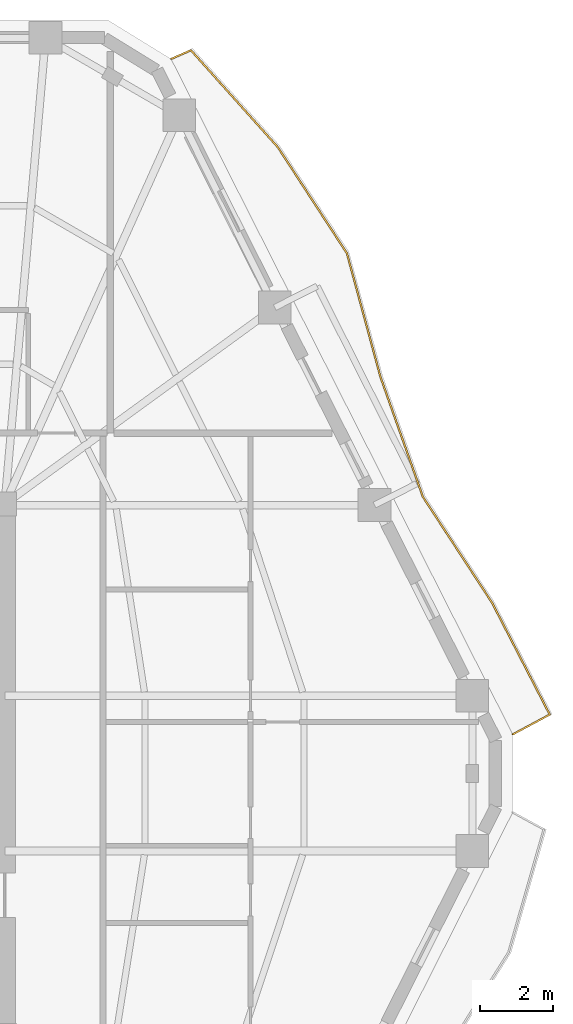
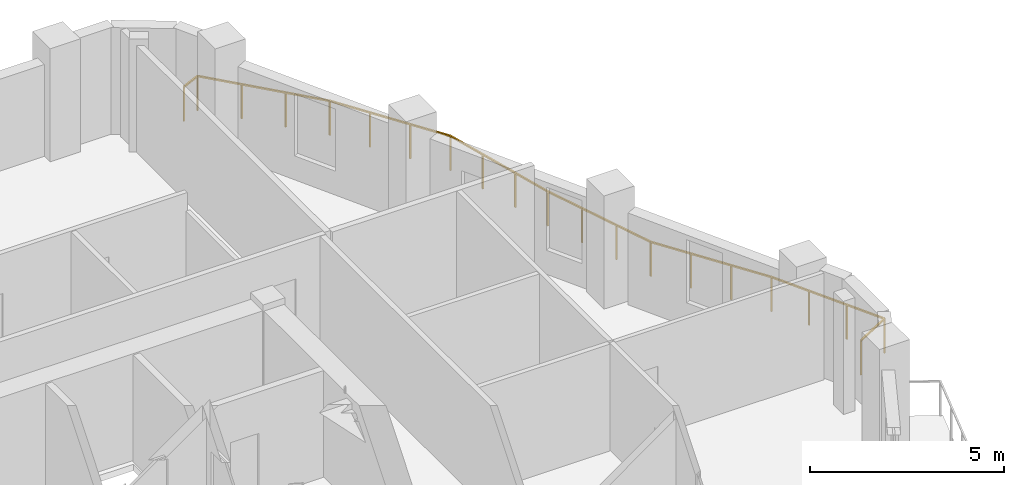
# One storey, part 12 of 12: 1 railing.
"""IFC4 building model written with IfcOpenShell, lengths in metres."""

from ifc_helpers import new_model, si_unit, direction, frame, origin, origin_2d, place, context, subcontext, project, spatial, rectangle, extrude, material, type_object, element, save


model = new_model("IFC4")

# Units and contexts
model_context = context("Model", 3, precision=1e-05, world=origin(), true_north=direction((0.0, 1.0)))
body_context = subcontext(model_context, "Body", "Model", "MODEL_VIEW")
ifc_project = project(units=[si_unit("LENGTHUNIT", "METRE"), si_unit("AREAUNIT", "SQUARE_METRE"), si_unit("VOLUMEUNIT", "CUBIC_METRE"), si_unit("PLANEANGLEUNIT", "RADIAN"), si_unit("MASSUNIT", "GRAM", prefix="KILO")], contexts=[model_context])

# Site, building, storey
site_placement = place(None, origin())
site = spatial("IfcSite", under=ifc_project, at=site_placement, CompositionType="ELEMENT")
building_placement = place(site_placement, origin())
building = spatial("IfcBuilding", under=site, at=building_placement, Name="Cinnabar Lancet Tower", CompositionType="ELEMENT")
storey_placement = place(building_placement, frame((0.0, 0.0, 193.199951171875)))
storey = spatial("IfcBuildingStorey", under=building, at=storey_placement, Name="L51", CompositionType="ELEMENT", Elevation=193.199951171875)

# Railing
ifc_material = material(Name="Laminated safety glass and bronze stainless steel balustrade", Category="steel")
railing_type = type_object("IfcRailingType", Name="ENV-RLG-BAL-1100", PredefinedType="BALUSTRADE", material=ifc_material)
railing_placement = place(storey_placement, frame((55.657958984375, 26.87109375, 0.0)))
element("IfcRailing", 1, at=railing_placement, inside=storey, type_object=railing_type, Name="L51 Face 3 Wave Balcony Balustrade", PredefinedType="BALUSTRADE", context=body_context, shape_type="SweptSolid", body=[
    extrude(rectangle(XDim=0.048095703125, YDim=0.048095703125, at=origin_2d()), frame((0.0, 0.0, 1.076171875), z_axis=(0.881624785606, 0.471950990469, 0.0), x_axis=(-0.471950990469, 0.881624785606, 0.0)), (0.0, 0.0, 1.0), 1.152587890625),
    extrude(rectangle(XDim=0.048095703125, YDim=0.048095703125, at=origin_2d()), frame((1.01611328125, 0.5439453125, 1.076171875), z_axis=(-0.458391100724, 0.888750582997, 0.0), x_axis=(-0.888750582997, -0.458391100724, 0.0)), (0.0, 0.0, 1.0), 3.457763671875),
    extrude(rectangle(XDim=0.048095703125, YDim=0.048095703125, at=origin_2d()), frame((-0.56884765625, 3.616943359375, 1.076171875), z_axis=(-0.546687453055, 0.837336747475, 0.0), x_axis=(-0.837336747475, -0.546687453055, 0.0)), (0.0, 0.0, 1.0), 3.4775390625),
    extrude(rectangle(XDim=0.048095703125, YDim=0.048095703125, at=origin_2d()), frame((-2.469970703125, 6.52880859375, 1.076171875), z_axis=(-0.333582483186, 0.942720916768, 0.0), x_axis=(-0.942720916768, -0.333582483186, 0.0)), (0.0, 0.0, 1.0), 3.483642578125),
    extrude(rectangle(XDim=0.048095703125, YDim=0.048095703125, at=origin_2d()), frame((-3.632080078125, 9.81298828125, 1.076171875), z_axis=(-0.262034387367, 0.965058537, 0.0), x_axis=(-0.965058537, -0.262034387367, 0.0)), (0.0, 0.0, 1.0), 3.529296875),
    extrude(rectangle(XDim=0.048095703125, YDim=0.048095703125, at=origin_2d()), frame((-4.556884765625, 13.218994140625, 1.076171875), z_axis=(-0.545592897074, 0.838050350911, 0.0), x_axis=(-0.838050350911, -0.545592897074, 0.0)), (0.0, 0.0, 1.0), 3.476806640625),
    extrude(rectangle(XDim=0.048095703125, YDim=0.048095703125, at=origin_2d()), frame((-6.453857421875, 16.1328125, 1.076171875), z_axis=(-0.667516327818, 0.744595159867, 0.0), x_axis=(-0.744595159867, -0.667516327818, 0.0)), (0.0, 0.0, 1.0), 3.5791015625),
    extrude(rectangle(XDim=0.048095703125, YDim=0.048095703125, at=origin_2d()), frame((-8.843017578125, 18.7978515625, 1.076171875), z_axis=(-0.915175921108, -0.403054628337, 0.0), x_axis=(0.403054628337, -0.915175921108, 0.0)), (0.0, 0.0, 1.0), 0.595458984375),
    extrude(rectangle(XDim=0.0419921875, YDim=0.0419921875, at=origin_2d()), origin(), (0.0, 0.0, 1.0), 1.052001953125),
    extrude(rectangle(XDim=0.0419921875, YDim=0.0419921875, at=origin_2d()), frame((1.01611328125, 0.5439453125, 0.0)), (0.0, 0.0, 1.0), 1.052001953125),
    extrude(rectangle(XDim=0.0419921875, YDim=0.0419921875, at=origin_2d()), frame((0.48779296875, 1.568359375, 0.0)), (0.0, 0.0, 1.0), 1.052001953125),
    extrude(rectangle(XDim=0.0419921875, YDim=0.0419921875, at=origin_2d()), frame((-0.04052734375, 2.592529296875, 0.0)), (0.0, 0.0, 1.0), 1.052001953125),
    extrude(rectangle(XDim=0.0419921875, YDim=0.0419921875, at=origin_2d()), frame((-0.56884765625, 3.616943359375, 0.0)), (0.0, 0.0, 1.0), 1.052001953125),
    extrude(rectangle(XDim=0.0419921875, YDim=0.0419921875, at=origin_2d()), frame((-1.20263671875, 4.587646484375, 0.0)), (0.0, 0.0, 1.0), 1.052001953125),
    extrude(rectangle(XDim=0.0419921875, YDim=0.0419921875, at=origin_2d()), frame((-1.836181640625, 5.55810546875, 0.0)), (0.0, 0.0, 1.0), 1.052001953125),
    extrude(rectangle(XDim=0.0419921875, YDim=0.0419921875, at=origin_2d()), frame((-2.469970703125, 6.52880859375, 0.0)), (0.0, 0.0, 1.0), 1.052001953125),
    extrude(rectangle(XDim=0.0419921875, YDim=0.0419921875, at=origin_2d()), frame((-2.857421875, 7.62353515625, 0.0)), (0.0, 0.0, 1.0), 1.052001953125),
    extrude(rectangle(XDim=0.0419921875, YDim=0.0419921875, at=origin_2d()), frame((-3.24462890625, 8.71826171875, 0.0)), (0.0, 0.0, 1.0), 1.052001953125),
    extrude(rectangle(XDim=0.0419921875, YDim=0.0419921875, at=origin_2d()), frame((-3.632080078125, 9.81298828125, 0.0)), (0.0, 0.0, 1.0), 1.052001953125),
    extrude(rectangle(XDim=0.0419921875, YDim=0.0419921875, at=origin_2d()), frame((-3.9404296875, 10.9482421875, 0.0)), (0.0, 0.0, 1.0), 1.052001953125),
    extrude(rectangle(XDim=0.0419921875, YDim=0.0419921875, at=origin_2d()), frame((-4.24853515625, 12.083740234375, 0.0)), (0.0, 0.0, 1.0), 1.052001953125),
    extrude(rectangle(XDim=0.0419921875, YDim=0.0419921875, at=origin_2d()), frame((-4.556884765625, 13.218994140625, 0.0)), (0.0, 0.0, 1.0), 1.052001953125),
    extrude(rectangle(XDim=0.0419921875, YDim=0.0419921875, at=origin_2d()), frame((-5.189208984375, 14.190185546875, 0.0)), (0.0, 0.0, 1.0), 1.052001953125),
    extrude(rectangle(XDim=0.0419921875, YDim=0.0419921875, at=origin_2d()), frame((-5.821533203125, 15.16162109375, 0.0)), (0.0, 0.0, 1.0), 1.052001953125),
    extrude(rectangle(XDim=0.0419921875, YDim=0.0419921875, at=origin_2d()), frame((-6.453857421875, 16.1328125, 0.0)), (0.0, 0.0, 1.0), 1.052001953125),
    extrude(rectangle(XDim=0.0419921875, YDim=0.0419921875, at=origin_2d()), frame((-7.250244140625, 17.021240234375, 0.0)), (0.0, 0.0, 1.0), 1.052001953125),
    extrude(rectangle(XDim=0.0419921875, YDim=0.0419921875, at=origin_2d()), frame((-8.046630859375, 17.909423828125, 0.0)), (0.0, 0.0, 1.0), 1.052001953125),
    extrude(rectangle(XDim=0.0419921875, YDim=0.0419921875, at=origin_2d()), frame((-8.843017578125, 18.7978515625, 0.0)), (0.0, 0.0, 1.0), 1.052001953125),
    extrude(rectangle(XDim=0.0419921875, YDim=0.0419921875, at=origin_2d()), frame((-9.387939453125, 18.557861328125, 0.0)), (0.0, 0.0, 1.0), 1.052001953125),
])

save(model, "model.ifc")
